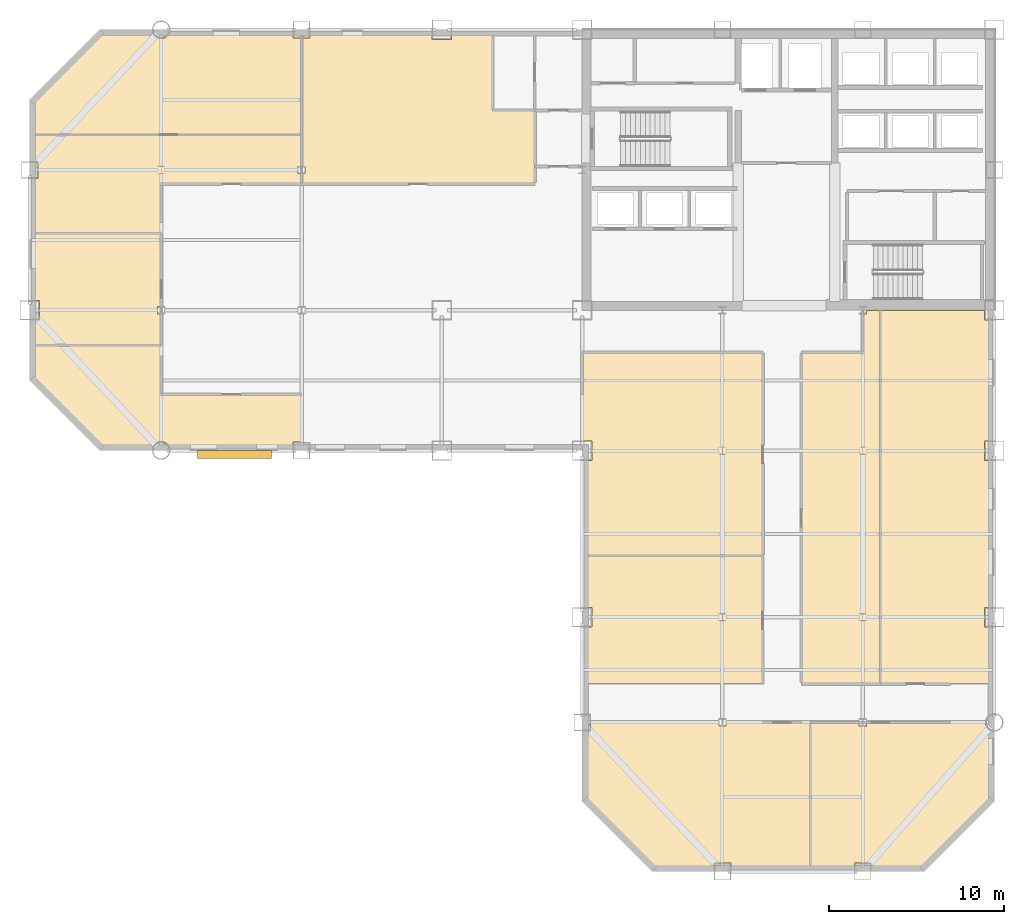
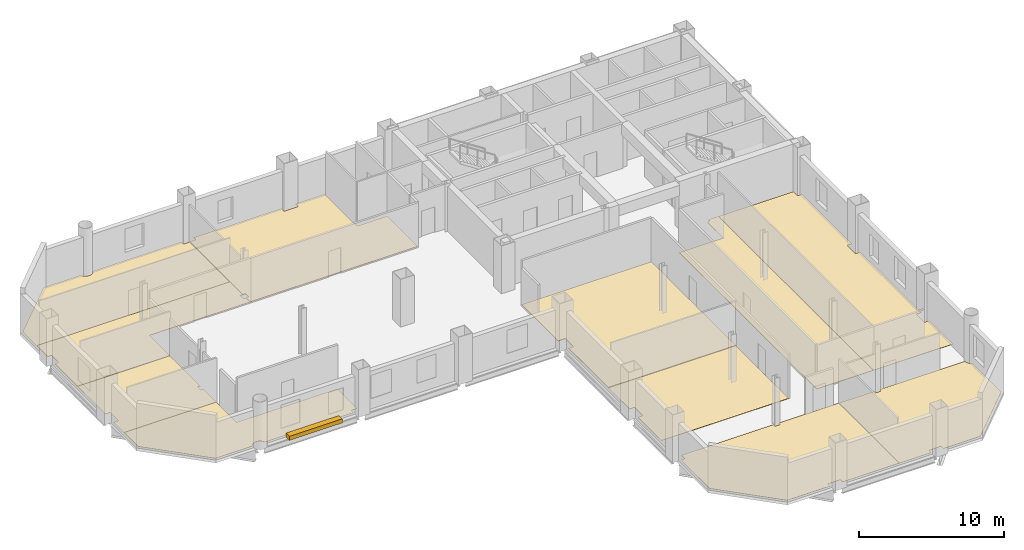
# One storey, part 8 of 9: 11 coverings, 1 shading device.
"""IFC4 building model written with IfcOpenShell, lengths in metres."""

from ifc_helpers import new_model, si_unit, direction, frame, origin, origin_2d, place, context, subcontext, project, spatial, polyline, rectangle, outline, extrude, material, layer, layer_set, type_object, element, save


model = new_model("IFC4")

# Units and contexts
model_context = context("Model", 3, precision=1e-05, world=origin(), true_north=direction((0.0, 1.0)))
body_context = subcontext(model_context, "Body", "Model", "MODEL_VIEW")
ifc_project = project(units=[si_unit("LENGTHUNIT", "METRE"), si_unit("AREAUNIT", "SQUARE_METRE"), si_unit("VOLUMEUNIT", "CUBIC_METRE"), si_unit("PLANEANGLEUNIT", "RADIAN"), si_unit("MASSUNIT", "GRAM", prefix="KILO")], contexts=[model_context])

# Site, building, storey
site_placement = place(None, origin())
site = spatial("IfcSite", under=ifc_project, at=site_placement, CompositionType="ELEMENT")
building_placement = place(site_placement, origin())
building = spatial("IfcBuilding", under=site, at=building_placement, Name="Qianrong Seaharbour Tower", CompositionType="ELEMENT")
storey_placement = place(building_placement, frame((0.0, 0.0, 163.0)))
storey = spatial("IfcBuildingStorey", under=building, at=storey_placement, Name="L39", CompositionType="ELEMENT", Elevation=163.0)

# Coverings
ifc_material_1 = material(Name="Acoustic modular carpet tile flooring")
ifc_layer_1 = layer(ifc_material_1, 0.02001953125)
ifc_layer_set_1 = layer_set([ifc_layer_1], Name="Acoustic modular carpet tile flooring")
covering_type_1 = type_object("IfcCoveringType", Name="COV-FLOOR-CARPET-20", PredefinedType="FLOORING", material=ifc_layer_set_1)
covering_1_placement = place(storey_placement, origin())
element("IfcCovering", 1, at=covering_1_placement, inside=storey, type_object=covering_type_1, Name="L39 Harbour Sunset Lounge 1 Finish Flooring", PredefinedType="FLOORING", context=body_context, shape_type="SweptSolid", body=[
    extrude(outline(polyline([(16.977294921875, 28.175048828125), (16.97119140625, 28.1953125), (16.924072265625, 28.283203125), (16.860595703125, 28.360595703125), (16.783203125, 28.424072265625), (16.6953125, 28.47119140625), (16.599609375, 28.500244140625), (16.5, 28.510009765625), (16.400390625, 28.500244140625), (16.3046875, 28.47119140625), (16.216796875, 28.424072265625), (16.139404296875, 28.360595703125), (16.075927734375, 28.283203125), (16.02880859375, 28.1953125), (16.022705078125, 28.175048828125), (13.072509765625, 28.175048828125), (9.175048828125, 32.072509765625), (9.175048828125, 34.0), (16.5, 34.0), (16.5, 31.199951171875), (24.5, 31.199951171875), (24.5, 28.485107421875), (24.014892578125, 28.485107421875), (24.014892578125, 28.175048828125), (16.977294921875, 28.175048828125)])), origin(), (0.0, 0.0, 1.0), 0.02001953125),
])
covering_2_placement = place(storey_placement, origin())
element("IfcCovering", 2, at=covering_2_placement, inside=storey, type_object=covering_type_1, Name="L39 Barista Coffee Pantry 2 Finish Flooring", PredefinedType="FLOORING", context=body_context, shape_type="SweptSolid", body=[
    extrude(outline(polyline([(9.175048828125, 35.43994140625), (9.56005859375, 35.43994140625), (9.56005859375, 36.56005859375), (9.175048828125, 36.56005859375), (9.175048828125, 40.39990234375), (16.5, 40.39990234375), (16.5, 36.2099609375), (16.2900390625, 36.2099609375), (16.2900390625, 35.7900390625), (16.5, 35.7900390625), (16.5, 34.0), (9.175048828125, 34.0), (9.175048828125, 35.43994140625)])), origin(), (0.0, 0.0, 1.0), 0.02001953125),
])
covering_3_placement = place(storey_placement, origin())
element("IfcCovering", 3, at=covering_3_placement, inside=storey, type_object=covering_type_1, Name="L39 Quiet Sitting Lounge 4 Finish Flooring", PredefinedType="FLOORING", context=body_context, shape_type="SweptSolid", body=[
    extrude(outline(polyline([(9.175048828125, 47.927490234375), (13.072509765625, 51.824951171875), (16.022705078125, 51.824951171875), (16.02880859375, 51.8046875), (16.075927734375, 51.716796875), (16.139404296875, 51.639404296875), (16.216796875, 51.575927734375), (16.3046875, 51.52880859375), (16.400390625, 51.499755859375), (16.5, 51.489990234375), (16.599609375, 51.499755859375), (16.6953125, 51.52880859375), (16.783203125, 51.575927734375), (16.860595703125, 51.639404296875), (16.924072265625, 51.716796875), (16.97119140625, 51.8046875), (16.977294921875, 51.824951171875), (24.014892578125, 51.824951171875), (24.014892578125, 51.514892578125), (24.5, 51.514892578125), (24.5, 46.0), (9.175048828125, 46.0), (9.175048828125, 47.927490234375)])), origin(), (0.0, 0.0, 1.0), 0.02001953125),
])
covering_4_placement = place(storey_placement, origin())
element("IfcCovering", 4, at=covering_4_placement, inside=storey, type_object=covering_type_1, Name="L39 Catering Servery Kitchen 2 Finish Flooring", PredefinedType="FLOORING", context=body_context, shape_type="SweptSolid", body=[
    extrude(outline(polyline([(63.43994140625, 36.0), (63.43994140625, 35.43994140625), (63.824951171875, 35.43994140625), (63.824951171875, 28.56005859375), (63.43994140625, 28.56005859375), (63.43994140625, 27.43994140625), (63.824951171875, 27.43994140625), (63.824951171875, 19.06005859375), (63.43994140625, 19.06005859375), (63.43994140625, 17.93994140625), (63.824951171875, 17.93994140625), (63.824951171875, 14.699951171875), (57.5, 14.699951171875), (57.5, 36.0), (63.43994140625, 36.0)])), origin(), (0.0, 0.0, 1.0), 0.02001953125),
])
covering_5_placement = place(storey_placement, origin())
element("IfcCovering", 5, at=covering_5_placement, inside=storey, type_object=covering_type_1, Name="L39 Wet Pantry 1 Finish Flooring", PredefinedType="FLOORING", context=body_context, shape_type="SweptSolid", body=[
    extrude(outline(polyline([(40.675048828125, 14.699951171875), (40.675048828125, 17.93994140625), (41.06005859375, 17.93994140625), (41.06005859375, 19.06005859375), (40.675048828125, 19.06005859375), (40.675048828125, 22.0), (50.800048828125, 22.0), (50.800048828125, 14.699951171875), (40.675048828125, 14.699951171875)])), origin(), (0.0, 0.0, 1.0), 0.02001953125),
])
covering_6_placement = place(storey_placement, origin())
element("IfcCovering", 6, at=covering_6_placement, inside=storey, type_object=covering_type_1, Name="L39 South View Lounge 1 Finish Flooring", PredefinedType="FLOORING", context=body_context, shape_type="SweptSolid", body=[
    extrude(outline(polyline([(48.985107421875, 4.175048828125), (48.985107421875, 4.485107421875), (48.014892578125, 4.485107421875), (48.014892578125, 4.175048828125), (44.572509765625, 4.175048828125), (40.675048828125, 8.072509765625), (40.675048828125, 12.014892578125), (40.985107421875, 12.014892578125), (40.985107421875, 12.5), (48.2900390625, 12.5), (48.2900390625, 12.2900390625), (48.7099609375, 12.2900390625), (48.7099609375, 12.5), (53.5, 12.5), (53.5, 4.175048828125), (48.985107421875, 4.175048828125)])), origin(), (0.0, 0.0, 1.0), 0.02001953125),
])
covering_7_placement = place(storey_placement, origin())
element("IfcCovering", 7, at=covering_7_placement, inside=storey, type_object=covering_type_1, Name="L39 Tea Servery Pantry 2 Finish Flooring", PredefinedType="FLOORING", context=body_context, shape_type="SweptSolid", body=[
    extrude(outline(polyline([(63.824951171875, 8.072509765625), (59.927490234375, 4.175048828125), (56.985107421875, 4.175048828125), (56.985107421875, 4.485107421875), (56.014892578125, 4.485107421875), (56.014892578125, 4.175048828125), (53.5, 4.175048828125), (53.5, 12.5), (56.2900390625, 12.5), (56.2900390625, 12.2900390625), (56.7099609375, 12.2900390625), (56.7099609375, 12.5), (63.489990234375, 12.5), (63.499755859375, 12.400390625), (63.52880859375, 12.3046875), (63.575927734375, 12.216796875), (63.639404296875, 12.139404296875), (63.716796875, 12.075927734375), (63.8046875, 12.02880859375), (63.824951171875, 12.022705078125), (63.824951171875, 8.072509765625)])), origin(), (0.0, 0.0, 1.0), 0.02001953125),
])
ifc_material_2 = material(Name="Honed granite stone flooring", Category="masonry")
ifc_layer_2 = layer(ifc_material_2, 0.030029296875)
ifc_layer_set_2 = layer_set([ifc_layer_2], Name="Honed granite stone flooring")
covering_type_2 = type_object("IfcCoveringType", Name="COV-FLOOR-GRANITE-30", PredefinedType="FLOORING", material=ifc_layer_set_2)
covering_8_placement = place(storey_placement, origin())
element("IfcCovering", 8, at=covering_8_placement, inside=storey, type_object=covering_type_2, Name="L39 Hospitality Dining Room 3 Finish Flooring", PredefinedType="FLOORING", context=body_context, shape_type="SweptSolid", body=[
    extrude(outline(polyline([(16.5, 43.199951171875), (16.5, 40.39990234375), (9.175048828125, 40.39990234375), (9.175048828125, 43.514892578125), (9.485107421875, 43.514892578125), (9.485107421875, 44.485107421875), (9.175048828125, 44.485107421875), (9.175048828125, 46.0), (24.5, 46.0), (24.5, 44.2099609375), (24.2900390625, 44.2099609375), (24.2900390625, 43.7900390625), (24.5, 43.7900390625), (24.5, 43.199951171875), (16.5, 43.199951171875)])), origin(), (0.0, 0.0, 1.0), 0.030029296875),
])
covering_9_placement = place(storey_placement, origin())
element("IfcCovering", 9, at=covering_9_placement, inside=storey, type_object=covering_type_2, Name="L39 East Harbour Dining Salon 1 Finish Flooring", PredefinedType="FLOORING", context=body_context, shape_type="SweptSolid", body=[
    extrude(outline(polyline([(56.5, 33.60009765625), (56.5, 35.7900390625), (56.7099609375, 35.7900390625), (56.7099609375, 36.0), (57.5, 36.0), (57.5, 14.699951171875), (53.0, 14.699951171875), (53.0, 33.60009765625), (56.5, 33.60009765625)])), origin(), (0.0, 0.0, 1.0), 0.030029296875),
])
ifc_material_3 = material(Name="Calcium-sulphate raised access floor tile")
ifc_layer_3 = layer(ifc_material_3, 0.044921875)
ifc_layer_set_3 = layer_set([ifc_layer_3], Name="Calcium-sulphate raised access floor tile")
covering_type_3 = type_object("IfcCoveringType", Name="COV-FLOOR-RAISED-45", PredefinedType="FLOORING", material=ifc_layer_set_3)
covering_10_placement = place(storey_placement, origin())
element("IfcCovering", 10, at=covering_10_placement, inside=storey, type_object=covering_type_3, Name="L39 Central Spine Open-Plan Office Finish Flooring", PredefinedType="FLOORING", context=body_context, shape_type="SweptSolid", body=[
    extrude(outline(polyline([(31.93994140625, 51.824951171875), (31.93994140625, 51.43994140625), (33.06005859375, 51.43994140625), (33.06005859375, 51.824951171875), (35.39990234375, 51.824951171875), (35.39990234375, 47.39990234375), (37.800048828125, 47.39990234375), (37.800048828125, 43.199951171875), (24.5, 43.199951171875), (24.5, 43.7900390625), (24.7099609375, 43.7900390625), (24.7099609375, 44.2099609375), (24.5, 44.2099609375), (24.5, 51.514892578125), (24.985107421875, 51.514892578125), (24.985107421875, 51.824951171875), (31.93994140625, 51.824951171875)])), origin(), (0.0, 0.0, 1.0), 0.044921875),
])
covering_11_placement = place(storey_placement, origin())
element("IfcCovering", 11, at=covering_11_placement, inside=storey, type_object=covering_type_3, Name="L39 Concierge Office 2 Finish Flooring", PredefinedType="FLOORING", context=body_context, shape_type="SweptSolid", body=[
    extrude(outline(polyline([(50.800048828125, 22.0), (40.675048828125, 22.0), (40.675048828125, 27.43994140625), (41.06005859375, 27.43994140625), (41.06005859375, 28.56005859375), (40.5, 28.56005859375), (40.5, 33.60009765625), (50.800048828125, 33.60009765625), (50.800048828125, 22.0)])), origin(), (0.0, 0.0, 1.0), 0.044921875),
])

# Shading device
ifc_material_4 = material(Name="White architectural precast concrete C45/55", Category="concrete")
shading_device_type = type_object("IfcShadingDeviceType", Name="SHD-SUNSHADE-WHITE-320", PredefinedType="AWNING", material=ifc_material_4)
shading_device_placement = place(storey_placement, frame((20.675048828125, 27.780029296875, -0.02001953125), z_axis=(0.0, 0.0, 1.0), x_axis=(1.0, 0.0, 0.0)))
element("IfcShadingDevice", 12, at=shading_device_placement, inside=storey, type_object=shading_device_type, Name="L39 Climbing White Precast Ribbon Canopy Fin", PredefinedType="AWNING", context=body_context, shape_type="SweptSolid", body=[
    extrude(rectangle(XDim=4.199951171875, YDim=0.4599609375, at=origin_2d()), origin(), (0.0, 0.0, 1.0), 0.340087890625),
])

save(model, "model.ifc")
